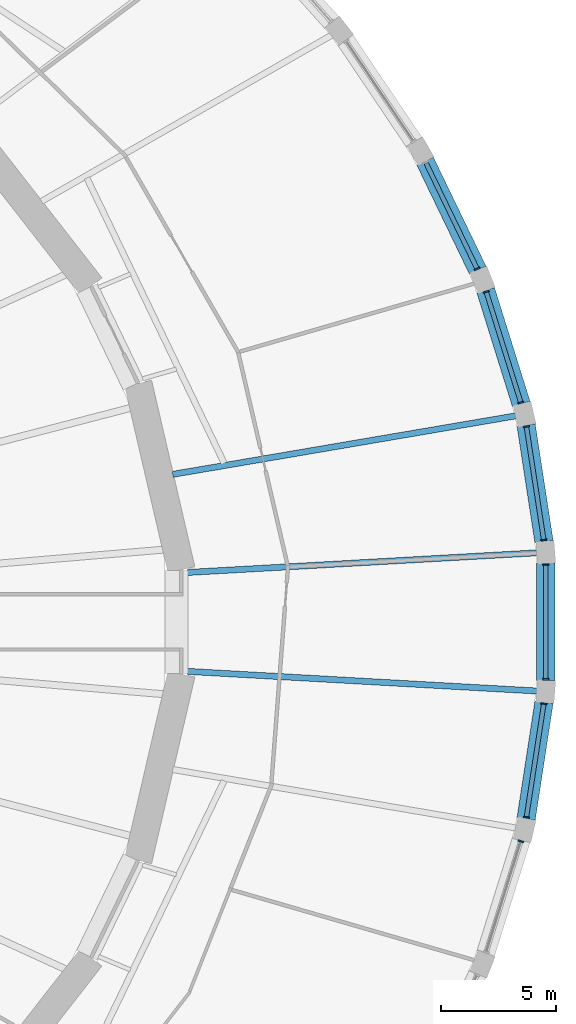
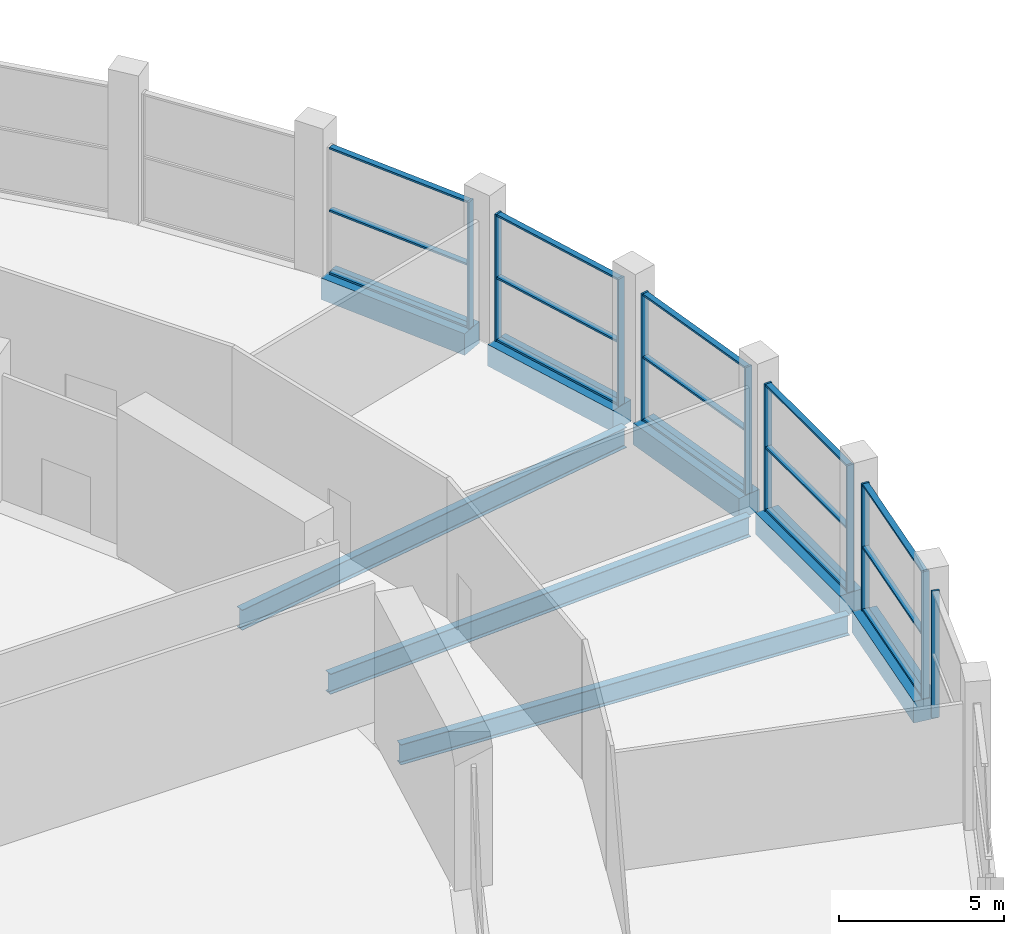
# One storey, part 12 of 29: 25 members, 8 beams, 6 elements without a shape of their own.
"""IFC4 building model written with IfcOpenShell, lengths in metres."""

from ifc_helpers import new_model, si_unit, direction, frame, origin, origin_2d, place, context, subcontext, project, spatial, rectangle, i_section, extrude, material, material_profile, profile_set, type_object, element, aggregate, save


model = new_model("IFC4")

# Units and contexts
model_context = context("Model", 3, precision=1e-05, world=origin(), true_north=direction((0.0, 1.0)))
body_context = subcontext(model_context, "Body", "Model", "MODEL_VIEW")
ifc_project = project(units=[si_unit("LENGTHUNIT", "METRE"), si_unit("AREAUNIT", "SQUARE_METRE"), si_unit("VOLUMEUNIT", "CUBIC_METRE"), si_unit("PLANEANGLEUNIT", "RADIAN"), si_unit("MASSUNIT", "GRAM", prefix="KILO")], contexts=[model_context])

# Site, building, storey
site_placement = place(None, origin())
site = spatial("IfcSite", under=ifc_project, at=site_placement, CompositionType="ELEMENT")
building_placement = place(site_placement, origin())
building = spatial("IfcBuilding", under=site, at=building_placement, Name="Halqa Exchange Tower", CompositionType="ELEMENT")
storey_placement = place(building_placement, frame((0.0, 0.0, 7.0)))
storey = spatial("IfcBuildingStorey", under=building, at=storey_placement, Name="L01", CompositionType="ELEMENT", Elevation=7.0)

# Curtain wall, members
ifc_material_1 = material(Name="Anodised aluminium and clear glass", Category="aluminium")
curtain_wall_type = type_object("IfcCurtainWallType", Name="Exchange hall glazing", PredefinedType="NOTDEFINED", material=ifc_material_1)
curtain_wall_1_placement = place(storey_placement, origin())
curtain_wall_1 = element("IfcCurtainWall", 1, at=curtain_wall_1_placement, inside=storey, type_object=curtain_wall_type, Name="Exchange hall glazing run P1", PredefinedType="NOTDEFINED")
ifc_material_2 = material(Name="Anodised aluminium", Category="aluminium")
ifc_material_profile_1 = material_profile(ifc_material_2, rectangle(XDim=0.25, YDim=0.070068359375, at=origin_2d()), Name="AL 70x250")
ifc_profile_set_1 = profile_set([ifc_material_profile_1], Name="Anodised aluminium")
member_type_1 = type_object("IfcMemberType", Name="Exchange hall glazing mullion 70 x 250", PredefinedType="MULLION", material=ifc_profile_set_1)
member_1_placement = place(storey_placement, frame((53.80322265625, 3.556884765625, 0.0), z_axis=(0.0, 0.0, 1.0), x_axis=(-0.988416304241, -0.151766957898, 0.0)))
member_1 = element("IfcMember", 2, at=member_1_placement, type_object=member_type_1, Name="P1 mullion 1", PredefinedType="MULLION", context=body_context, shape_type="SweptSolid", body=[
    extrude(rectangle(XDim=0.25, YDim=0.070068359375, at=origin_2d()), origin(), (0.0, 0.0, 1.0), 4.699951171875),
])
member_2_placement = place(storey_placement, frame((53.043701171875, 8.50390625, 0.0), z_axis=(0.0, 0.0, 1.0), x_axis=(-0.988416304241, -0.151766957898, 0.0)))
member_2 = element("IfcMember", 3, at=member_2_placement, type_object=member_type_1, Name="P1 mullion 2", PredefinedType="MULLION", context=body_context, shape_type="SweptSolid", body=[
    extrude(rectangle(XDim=0.25, YDim=0.070068359375, at=origin_2d()), origin(), (0.0, 0.0, 1.0), 4.699951171875),
])

curtain_wall_2_placement = place(storey_placement, origin())
curtain_wall_2 = element("IfcCurtainWall", 4, at=curtain_wall_2_placement, inside=storey, type_object=curtain_wall_type, Name="Exchange hall glazing run P2", PredefinedType="NOTDEFINED")
member_3_placement = place(storey_placement, frame((52.802978515625, 9.543212890625, 0.0), z_axis=(0.0, 0.0, 1.0), x_axis=(-0.95447130463, -0.298302746613, 0.0)))
member_3 = element("IfcMember", 5, at=member_3_placement, type_object=member_type_1, Name="P2 mullion 1", PredefinedType="MULLION", context=body_context, shape_type="SweptSolid", body=[
    extrude(rectangle(XDim=0.25, YDim=0.070068359375, at=origin_2d()), origin(), (0.0, 0.0, 1.0), 4.699951171875),
])
member_4_placement = place(storey_placement, frame((51.293701171875, 14.3720703125, 0.0), z_axis=(0.0, 0.0, 1.0), x_axis=(-0.95447130463, -0.298302746613, 0.0)))
member_4 = element("IfcMember", 6, at=member_4_placement, type_object=member_type_1, Name="P2 mullion 2", PredefinedType="MULLION", context=body_context, shape_type="SweptSolid", body=[
    extrude(rectangle(XDim=0.25, YDim=0.070068359375, at=origin_2d()), origin(), (0.0, 0.0, 1.0), 4.699951171875),
])

# Curtain wall, member
curtain_wall_3_placement = place(storey_placement, origin())
curtain_wall_3 = element("IfcCurtainWall", 7, at=curtain_wall_3_placement, inside=storey, type_object=curtain_wall_type, Name="Exchange hall glazing run P3", PredefinedType="NOTDEFINED")
member_5_placement = place(storey_placement, frame((50.9013671875, 15.3642578125, 0.0), z_axis=(0.0, 0.0, 1.0), x_axis=(-0.90043534892, -0.434989864727, 0.0)))
member_5 = element("IfcMember", 8, at=member_5_placement, type_object=member_type_1, Name="P3 mullion 1", PredefinedType="MULLION", context=body_context, shape_type="SweptSolid", body=[
    extrude(rectangle(XDim=0.25, YDim=0.070068359375, at=origin_2d()), origin(), (0.0, 0.0, 1.0), 4.699951171875),
])

curtain_wall_4_placement = place(storey_placement, origin())
curtain_wall_4 = element("IfcCurtainWall", 9, at=curtain_wall_4_placement, inside=storey, type_object=curtain_wall_type, Name="Exchange hall glazing run P46", PredefinedType="NOTDEFINED")
member_6_placement = place(storey_placement, frame((52.802978515625, -9.543212890625, 0.0), z_axis=(0.0, 0.0, 1.0), x_axis=(-0.95447130463, 0.298302746613, 0.0)))
member_6 = element("IfcMember", 10, at=member_6_placement, type_object=member_type_1, Name="P46 mullion 2", PredefinedType="MULLION", context=body_context, shape_type="SweptSolid", body=[
    extrude(rectangle(XDim=0.25, YDim=0.070068359375, at=origin_2d()), origin(), (0.0, 0.0, 1.0), 4.699951171875),
])
aggregate(curtain_wall_4, [member_6])

# Curtain wall, members
curtain_wall_5_placement = place(storey_placement, origin())
curtain_wall_5 = element("IfcCurtainWall", 11, at=curtain_wall_5_placement, inside=storey, type_object=curtain_wall_type, Name="Exchange hall glazing run P47", PredefinedType="NOTDEFINED")
member_7_placement = place(storey_placement, frame((53.043701171875, -8.50390625, 0.0), z_axis=(0.0, 0.0, 1.0), x_axis=(-0.988416304241, 0.151766957898, 0.0)))
member_7 = element("IfcMember", 12, at=member_7_placement, type_object=member_type_1, Name="P47 mullion 1", PredefinedType="MULLION", context=body_context, shape_type="SweptSolid", body=[
    extrude(rectangle(XDim=0.25, YDim=0.070068359375, at=origin_2d()), origin(), (0.0, 0.0, 1.0), 4.699951171875),
])
member_8_placement = place(storey_placement, frame((53.80322265625, -3.556884765625, 0.0), z_axis=(0.0, 0.0, 1.0), x_axis=(-0.988416304241, 0.151766957898, 0.0)))
member_8 = element("IfcMember", 13, at=member_8_placement, type_object=member_type_1, Name="P47 mullion 2", PredefinedType="MULLION", context=body_context, shape_type="SweptSolid", body=[
    extrude(rectangle(XDim=0.25, YDim=0.070068359375, at=origin_2d()), origin(), (0.0, 0.0, 1.0), 4.699951171875),
])

curtain_wall_6_placement = place(storey_placement, origin())
curtain_wall_6 = element("IfcCurtainWall", 14, at=curtain_wall_6_placement, inside=storey, type_object=curtain_wall_type, Name="Exchange hall glazing run P48", PredefinedType="NOTDEFINED")
member_9_placement = place(storey_placement, frame((53.884521484375, -2.4931640625, 0.0), z_axis=(0.0, 0.0, 1.0), x_axis=(-1.0, 0.0, 0.0)))
member_9 = element("IfcMember", 15, at=member_9_placement, type_object=member_type_1, Name="P48 mullion 1", PredefinedType="MULLION", context=body_context, shape_type="SweptSolid", body=[
    extrude(rectangle(XDim=0.25, YDim=0.070068359375, at=origin_2d()), origin(), (0.0, 0.0, 1.0), 4.699951171875),
])
member_10_placement = place(storey_placement, frame((53.884521484375, 2.4931640625, 0.0), z_axis=(0.0, 0.0, 1.0), x_axis=(-1.0, 0.0, 0.0)))
member_10 = element("IfcMember", 16, at=member_10_placement, type_object=member_type_1, Name="P48 mullion 2", PredefinedType="MULLION", context=body_context, shape_type="SweptSolid", body=[
    extrude(rectangle(XDim=0.25, YDim=0.070068359375, at=origin_2d()), origin(), (0.0, 0.0, 1.0), 4.699951171875),
])

# Member
ifc_material_profile_2 = material_profile(ifc_material_2, rectangle(XDim=0.199951171875, YDim=0.070068359375, at=origin_2d()), Name="AL 70x200")
ifc_profile_set_2 = profile_set([ifc_material_profile_2], Name="Anodised aluminium")
member_type_2 = type_object("IfcMemberType", Name="Exchange hall glazing transom 70 x 200", PredefinedType="USERDEFINED", material=ifc_profile_set_2)
member_11_placement = place(storey_placement, frame((53.7978515625, 3.591552734375, 0.034912109375), z_axis=(-0.151782076139, 0.988413982784, 0.0), x_axis=(-0.988413982784, -0.151782076139, 0.0)))
member_11 = element("IfcMember", 17, at=member_11_placement, type_object=member_type_2, Name="P1 transom 1.1", ObjectType="TRANSOM", PredefinedType="USERDEFINED", context=body_context, shape_type="SweptSolid", body=[
    extrude(rectangle(XDim=0.199951171875, YDim=0.070068359375, at=origin_2d()), origin(), (0.0, 0.0, 1.0), 4.934814453125),
])

member_12_placement = place(storey_placement, frame((53.7978515625, 3.591552734375, 2.35009765625), z_axis=(-0.151782076139, 0.988413982784, 0.0), x_axis=(-0.988413982784, -0.151782076139, 0.0)))
member_12 = element("IfcMember", 18, at=member_12_placement, type_object=member_type_2, Name="P1 transom 1.2", ObjectType="TRANSOM", PredefinedType="USERDEFINED", context=body_context, shape_type="SweptSolid", body=[
    extrude(rectangle(XDim=0.199951171875, YDim=0.070068359375, at=origin_2d()), origin(), (0.0, 0.0, 1.0), 4.934814453125),
])

member_13_placement = place(storey_placement, frame((53.7978515625, 3.591552734375, 4.6650390625), z_axis=(-0.151782076139, 0.988413982784, 0.0), x_axis=(-0.988413982784, -0.151782076139, 0.0)))
member_13 = element("IfcMember", 19, at=member_13_placement, type_object=member_type_2, Name="P1 transom 1.3", ObjectType="TRANSOM", PredefinedType="USERDEFINED", context=body_context, shape_type="SweptSolid", body=[
    extrude(rectangle(XDim=0.199951171875, YDim=0.070068359375, at=origin_2d()), origin(), (0.0, 0.0, 1.0), 4.934814453125),
])

aggregate(curtain_wall_1, [member_1, member_2, member_11, member_12, member_13])

member_14_placement = place(storey_placement, frame((52.79248046875, 9.57666015625, 0.034912109375), z_axis=(-0.298305642444, 0.954470399586, 0.0), x_axis=(-0.954470399586, -0.298305642444, 0.0)))
member_14 = element("IfcMember", 20, at=member_14_placement, type_object=member_type_2, Name="P2 transom 1.1", ObjectType="TRANSOM", PredefinedType="USERDEFINED", context=body_context, shape_type="SweptSolid", body=[
    extrude(rectangle(XDim=0.199951171875, YDim=0.070068359375, at=origin_2d()), origin(), (0.0, 0.0, 1.0), 4.989013671875),
])

member_15_placement = place(storey_placement, frame((52.79248046875, 9.57666015625, 2.35009765625), z_axis=(-0.298305642444, 0.954470399586, 0.0), x_axis=(-0.954470399586, -0.298305642444, 0.0)))
member_15 = element("IfcMember", 21, at=member_15_placement, type_object=member_type_2, Name="P2 transom 1.2", ObjectType="TRANSOM", PredefinedType="USERDEFINED", context=body_context, shape_type="SweptSolid", body=[
    extrude(rectangle(XDim=0.199951171875, YDim=0.070068359375, at=origin_2d()), origin(), (0.0, 0.0, 1.0), 4.989013671875),
])

member_16_placement = place(storey_placement, frame((52.79248046875, 9.57666015625, 4.6650390625), z_axis=(-0.298305642444, 0.954470399586, 0.0), x_axis=(-0.954470399586, -0.298305642444, 0.0)))
member_16 = element("IfcMember", 22, at=member_16_placement, type_object=member_type_2, Name="P2 transom 1.3", ObjectType="TRANSOM", PredefinedType="USERDEFINED", context=body_context, shape_type="SweptSolid", body=[
    extrude(rectangle(XDim=0.199951171875, YDim=0.070068359375, at=origin_2d()), origin(), (0.0, 0.0, 1.0), 4.989013671875),
])

aggregate(curtain_wall_2, [member_3, member_4, member_14, member_15, member_16])

member_17_placement = place(storey_placement, frame((50.88623046875, 15.395751953125, 0.034912109375), z_axis=(-0.434989893806, 0.900435334872, 0.0), x_axis=(-0.900435334872, -0.434989893806, 0.0)))
member_17 = element("IfcMember", 23, at=member_17_placement, type_object=member_type_2, Name="P3 transom 1.1", ObjectType="TRANSOM", PredefinedType="USERDEFINED", context=body_context, shape_type="SweptSolid", body=[
    extrude(rectangle(XDim=0.199951171875, YDim=0.070068359375, at=origin_2d()), origin(), (0.0, 0.0, 1.0), 5.07421875),
])

member_18_placement = place(storey_placement, frame((50.88623046875, 15.395751953125, 2.35009765625), z_axis=(-0.434989893806, 0.900435334872, 0.0), x_axis=(-0.900435334872, -0.434989893806, 0.0)))
member_18 = element("IfcMember", 24, at=member_18_placement, type_object=member_type_2, Name="P3 transom 1.2", ObjectType="TRANSOM", PredefinedType="USERDEFINED", context=body_context, shape_type="SweptSolid", body=[
    extrude(rectangle(XDim=0.199951171875, YDim=0.070068359375, at=origin_2d()), origin(), (0.0, 0.0, 1.0), 5.07421875),
])

member_19_placement = place(storey_placement, frame((50.88623046875, 15.395751953125, 4.6650390625), z_axis=(-0.434989893806, 0.900435334872, 0.0), x_axis=(-0.900435334872, -0.434989893806, 0.0)))
member_19 = element("IfcMember", 25, at=member_19_placement, type_object=member_type_2, Name="P3 transom 1.3", ObjectType="TRANSOM", PredefinedType="USERDEFINED", context=body_context, shape_type="SweptSolid", body=[
    extrude(rectangle(XDim=0.199951171875, YDim=0.070068359375, at=origin_2d()), origin(), (0.0, 0.0, 1.0), 5.07421875),
])

aggregate(curtain_wall_3, [member_5, member_17, member_18, member_19])

member_20_placement = place(storey_placement, frame((53.048828125, -8.46923828125, 0.034912109375), z_axis=(0.151782076139, 0.988413982784, 0.0), x_axis=(-0.988413982784, 0.151782076139, 0.0)))
member_20 = element("IfcMember", 26, at=member_20_placement, type_object=member_type_2, Name="P47 transom 1.1", ObjectType="TRANSOM", PredefinedType="USERDEFINED", context=body_context, shape_type="SweptSolid", body=[
    extrude(rectangle(XDim=0.199951171875, YDim=0.070068359375, at=origin_2d()), origin(), (0.0, 0.0, 1.0), 4.934814453125),
])

member_21_placement = place(storey_placement, frame((53.048828125, -8.46923828125, 2.35009765625), z_axis=(0.151782076139, 0.988413982784, 0.0), x_axis=(-0.988413982784, 0.151782076139, 0.0)))
member_21 = element("IfcMember", 27, at=member_21_placement, type_object=member_type_2, Name="P47 transom 1.2", ObjectType="TRANSOM", PredefinedType="USERDEFINED", context=body_context, shape_type="SweptSolid", body=[
    extrude(rectangle(XDim=0.199951171875, YDim=0.070068359375, at=origin_2d()), origin(), (0.0, 0.0, 1.0), 4.934814453125),
])

member_22_placement = place(storey_placement, frame((53.048828125, -8.46923828125, 4.6650390625), z_axis=(0.151782076139, 0.988413982784, 0.0), x_axis=(-0.988413982784, 0.151782076139, 0.0)))
member_22 = element("IfcMember", 28, at=member_22_placement, type_object=member_type_2, Name="P47 transom 1.3", ObjectType="TRANSOM", PredefinedType="USERDEFINED", context=body_context, shape_type="SweptSolid", body=[
    extrude(rectangle(XDim=0.199951171875, YDim=0.070068359375, at=origin_2d()), origin(), (0.0, 0.0, 1.0), 4.934814453125),
])

aggregate(curtain_wall_5, [member_7, member_8, member_20, member_21, member_22])

member_23_placement = place(storey_placement, frame((53.884521484375, -2.458251953125, 0.034912109375), z_axis=(0.0, 1.0, 0.0), x_axis=(-1.0, 0.0, 0.0)))
member_23 = element("IfcMember", 29, at=member_23_placement, type_object=member_type_2, Name="P48 transom 1.1", ObjectType="TRANSOM", PredefinedType="USERDEFINED", context=body_context, shape_type="SweptSolid", body=[
    extrude(rectangle(XDim=0.199951171875, YDim=0.070068359375, at=origin_2d()), origin(), (0.0, 0.0, 1.0), 4.91650390625),
])

member_24_placement = place(storey_placement, frame((53.884521484375, -2.458251953125, 2.35009765625), z_axis=(0.0, 1.0, 0.0), x_axis=(-1.0, 0.0, 0.0)))
member_24 = element("IfcMember", 30, at=member_24_placement, type_object=member_type_2, Name="P48 transom 1.2", ObjectType="TRANSOM", PredefinedType="USERDEFINED", context=body_context, shape_type="SweptSolid", body=[
    extrude(rectangle(XDim=0.199951171875, YDim=0.070068359375, at=origin_2d()), origin(), (0.0, 0.0, 1.0), 4.91650390625),
])

member_25_placement = place(storey_placement, frame((53.884521484375, -2.458251953125, 4.6650390625), z_axis=(0.0, 1.0, 0.0), x_axis=(-1.0, 0.0, 0.0)))
member_25 = element("IfcMember", 31, at=member_25_placement, type_object=member_type_2, Name="P48 transom 1.3", ObjectType="TRANSOM", PredefinedType="USERDEFINED", context=body_context, shape_type="SweptSolid", body=[
    extrude(rectangle(XDim=0.199951171875, YDim=0.070068359375, at=origin_2d()), origin(), (0.0, 0.0, 1.0), 4.91650390625),
])

aggregate(curtain_wall_6, [member_9, member_10, member_23, member_24, member_25])

# Beams
ifc_material_3 = material(Name="Steel S355", Category="steel")
ifc_material_profile_3 = material_profile(ifc_material_3, i_section(OverallWidth=0.264892578125, OverallDepth=0.7529296875, WebThickness=0.01318359375, FlangeThickness=0.01708984375, FilletRadius=0.01708984375, at=origin_2d()), Name="IPE 750x147")
ifc_profile_set_3 = profile_set([ifc_material_profile_3], Name="Steel S355")
beam_type_1 = type_object("IfcBeamType", Name="Floor beam IPE 750x147", PredefinedType="BEAM", material=ifc_profile_set_3)
beam_1_placement = place(storey_placement, frame((38.2880859375, 2.151611328125, -0.7265625), z_axis=(0.998424130563, 0.056118227964, 0.0), x_axis=(-0.056118227964, 0.998424130563, 0.0)))
element("IfcBeam", 32, at=beam_1_placement, inside=storey, type_object=beam_type_1, Name="Radial beam 1", PredefinedType="BEAM", context=body_context, shape_type="SweptSolid", body=[
    extrude(i_section(OverallWidth=0.264892578125, OverallDepth=0.7529296875, WebThickness=0.01318359375, FlangeThickness=0.01708984375, FilletRadius=0.01708984375, at=origin_2d()), origin(), (0.0, 0.0, 1.0), 15.248291015625),
])
beam_2_placement = place(storey_placement, frame((37.654296875, 6.421875, -0.7265625), z_axis=(0.985764762639, 0.168130403968, 0.0), x_axis=(-0.168130403968, 0.985764762639, 0.0)))
element("IfcBeam", 33, at=beam_2_placement, inside=storey, type_object=beam_type_1, Name="Radial beam 2", PredefinedType="BEAM", context=body_context, shape_type="SweptSolid", body=[
    extrude(i_section(OverallWidth=0.264892578125, OverallDepth=0.7529296875, WebThickness=0.01318359375, FlangeThickness=0.01708984375, FilletRadius=0.01708984375, at=origin_2d()), origin(), (0.0, 0.0, 1.0), 15.156982421875),
])
beam_3_placement = place(storey_placement, frame((38.2880859375, -2.151611328125, -0.7265625), z_axis=(0.998424130563, -0.056118227964, 0.0), x_axis=(0.056118227964, 0.998424130563, 0.0)))
element("IfcBeam", 34, at=beam_3_placement, inside=storey, type_object=beam_type_1, Name="Radial beam 48", PredefinedType="BEAM", context=body_context, shape_type="SweptSolid", body=[
    extrude(i_section(OverallWidth=0.264892578125, OverallDepth=0.7529296875, WebThickness=0.01318359375, FlangeThickness=0.01708984375, FilletRadius=0.01708984375, at=origin_2d()), origin(), (0.0, 0.0, 1.0), 15.248291015625),
])
ifc_material_4 = material(Name="Concrete C60/75", Category="concrete")
ifc_material_profile_4 = material_profile(ifc_material_4, rectangle(XDim=0.800048828125, YDim=0.800048828125, at=origin_2d()), Name="800 x 800")
ifc_profile_set_4 = profile_set([ifc_material_profile_4], Name="Concrete C60/75")
beam_type_2 = type_object("IfcBeamType", Name="RC podium edge beam 800 x 800 C60/75", PredefinedType="SPANDREL", material=ifc_profile_set_4)
beam_4_placement = place(storey_placement, frame((53.812744140625, 3.495361328125, -0.39990234375), z_axis=(-0.151767505705, 0.988416220128, 0.0), x_axis=(-0.988416220128, -0.151767505705, 0.0)))
element("IfcBeam", 35, at=beam_4_placement, inside=storey, type_object=beam_type_2, Name="Podium edge beam 1", PredefinedType="SPANDREL", context=body_context, shape_type="SweptSolid", body=[
    extrude(rectangle(XDim=0.800048828125, YDim=0.800048828125, at=origin_2d()), origin(), (0.0, 0.0, 1.0), 5.1298828125),
])
beam_5_placement = place(storey_placement, frame((52.821044921875, 9.4853515625, -0.39990234375), z_axis=(-0.298331338153, 0.954462368392, 0.0), x_axis=(-0.954462368392, -0.298331338153, 0.0)))
element("IfcBeam", 36, at=beam_5_placement, inside=storey, type_object=beam_type_2, Name="Podium edge beam 2", PredefinedType="SPANDREL", context=body_context, shape_type="SweptSolid", body=[
    extrude(rectangle(XDim=0.800048828125, YDim=0.800048828125, at=origin_2d()), origin(), (0.0, 0.0, 1.0), 5.180908203125),
])
beam_6_placement = place(storey_placement, frame((50.92822265625, 15.308837890625, -0.39990234375), z_axis=(-0.43497328232, 0.9004433595, 0.0), x_axis=(-0.9004433595, -0.43497328232, 0.0)))
element("IfcBeam", 37, at=beam_6_placement, inside=storey, type_object=beam_type_2, Name="Podium edge beam 3", PredefinedType="SPANDREL", context=body_context, shape_type="SweptSolid", body=[
    extrude(rectangle(XDim=0.800048828125, YDim=0.800048828125, at=origin_2d()), origin(), (0.0, 0.0, 1.0), 5.267578125),
])
beam_7_placement = place(storey_placement, frame((53.0341796875, -8.56591796875, -0.39990234375), z_axis=(0.151767505705, 0.988416220128, 0.0), x_axis=(-0.988416220128, 0.151767505705, 0.0)))
element("IfcBeam", 38, at=beam_7_placement, inside=storey, type_object=beam_type_2, Name="Podium edge beam 47", PredefinedType="SPANDREL", context=body_context, shape_type="SweptSolid", body=[
    extrude(rectangle(XDim=0.800048828125, YDim=0.800048828125, at=origin_2d()), origin(), (0.0, 0.0, 1.0), 5.1298828125),
])
beam_8_placement = place(storey_placement, frame((53.884521484375, -2.5556640625, -0.39990234375), z_axis=(0.0, 1.0, 0.0), x_axis=(-1.0, 0.0, 0.0)))
element("IfcBeam", 39, at=beam_8_placement, inside=storey, type_object=beam_type_2, Name="Podium edge beam 48", PredefinedType="SPANDREL", context=body_context, shape_type="SweptSolid", body=[
    extrude(rectangle(XDim=0.800048828125, YDim=0.800048828125, at=origin_2d()), origin(), (0.0, 0.0, 1.0), 5.111328125),
])

save(model, "model.ifc")
